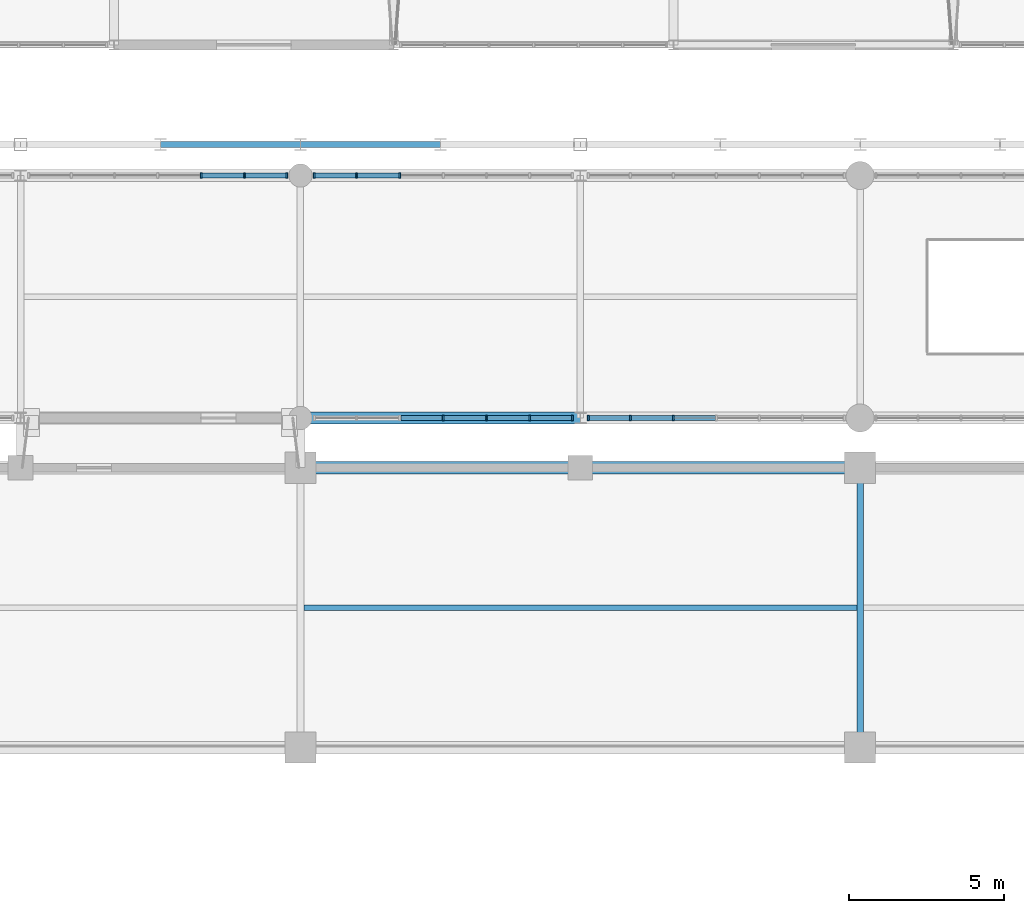
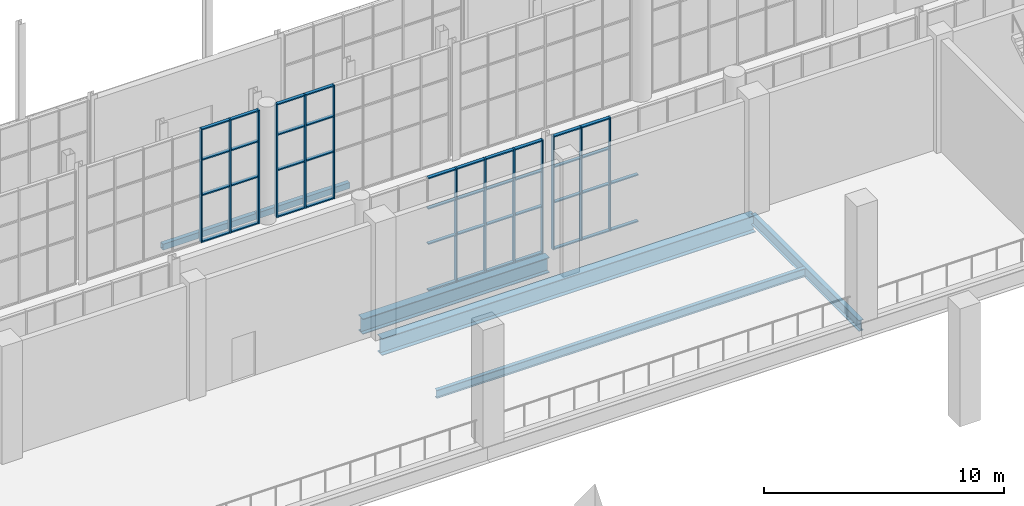
# One storey, part 44 of 159: 55 members, 6 beams, 4 elements without a shape of their own.
"""IFC4 building model written with IfcOpenShell, lengths in metres."""

from ifc_helpers import new_model, si_unit, direction, frame, origin, origin_2d, place, context, subcontext, project, spatial, rectangle, hollow_rectangle, i_section, extrude, material, layer, layer_set, material_profile, profile_set, type_object, element, aggregate, save


model = new_model("IFC4")

# Units and contexts
model_context = context("Model", 3, precision=1e-05, world=origin(), true_north=direction((0.0, 1.0)))
body_context = subcontext(model_context, "Body", "Model", "MODEL_VIEW")
ifc_project = project(units=[si_unit("LENGTHUNIT", "METRE"), si_unit("AREAUNIT", "SQUARE_METRE"), si_unit("VOLUMEUNIT", "CUBIC_METRE"), si_unit("PLANEANGLEUNIT", "RADIAN"), si_unit("MASSUNIT", "GRAM", prefix="KILO")], contexts=[model_context])

# Site, building, storey
site_placement = place(None, origin())
site = spatial("IfcSite", under=ifc_project, at=site_placement, CompositionType="ELEMENT")
building_placement = place(site_placement, origin())
building = spatial("IfcBuilding", under=site, at=building_placement, Name="Cazmaro Siding Exhibition Halls", CompositionType="ELEMENT")
storey_placement = place(building_placement, frame((0.0, 0.0, 6.0)))
storey = spatial("IfcBuildingStorey", under=building, at=storey_placement, Name="L01", CompositionType="ELEMENT", Elevation=6.0)

# Beam
ifc_material_1 = material(Name="Steel ASTM A992 Grade 50", Category="steel")
ifc_material_profile_1 = material_profile(ifc_material_1, i_section(OverallWidth=0.214111328125, OverallDepth=0.549072265625, WebThickness=0.014892578125, FlangeThickness=0.02392578125, at=origin_2d()), Name="W21X93")
ifc_profile_set_1 = profile_set([ifc_material_profile_1], Name="Steel ASTM A992 Grade 50")
beam_type_1 = type_object("IfcBeamType", Name="B-01", PredefinedType="BEAM", material=ifc_profile_set_1)
beam_1_placement = place(storey_placement, frame((126.0, 44.60009765625, -0.52392578125), z_axis=(0.0, 1.0, 0.0), x_axis=(-1.0, 0.0, 0.0)))
element("IfcBeam", 1, at=beam_1_placement, inside=storey, type_object=beam_type_1, Name="Beam B-01 BM-1283", PredefinedType="BEAM", context=body_context, shape_type="SweptSolid", body=[
    extrude(i_section(OverallWidth=0.214111328125, OverallDepth=0.549072265625, WebThickness=0.014892578125, FlangeThickness=0.02392578125, at=origin_2d()), origin(), (0.0, 0.0, 1.0), 9.0),
])

# Curtain wall, members
ifc_material_2 = material(Name="Anodized Bronze Aluminum and Solar-Control Low-E Glazing", Category="aluminium")
ifc_layer = layer(ifc_material_2, 0.179931640625)
ifc_layer_set = layer_set([ifc_layer], Name="Anodized Bronze Aluminum and Solar-Control Low-E Glazing")
curtain_wall_type = type_object("IfcCurtainWallType", Name="CWS-01", PredefinedType="USERDEFINED", material=ifc_layer_set)
curtain_wall_1_placement = place(storey_placement, origin())
curtain_wall_1 = element("IfcCurtainWall", 2, at=curtain_wall_1_placement, inside=storey, type_object=curtain_wall_type, Name="Glazed Curtain Wall CWS-01 CW-177", ObjectType="GLAZED CURTAIN WALL", PredefinedType="USERDEFINED")
ifc_material_3 = material(Name="Anodized Bronze Extruded Aluminum", Category="aluminium")
ifc_material_profile_2 = material_profile(ifc_material_3, rectangle(XDim=0.179931640625, YDim=0.06005859375, at=origin_2d()), Name="CWM-01")
ifc_profile_set_2 = profile_set([ifc_material_profile_2], Name="Anodized Bronze Extruded Aluminum")
member_type_1 = type_object("IfcMemberType", Name="CWM-01", PredefinedType="MULLION", material=ifc_profile_set_2)
member_1_placement = place(storey_placement, frame((107.56201171875, 63.0, 0.0), z_axis=(0.0, 0.0, 1.0), x_axis=(0.0, -1.0, 0.0)))
member_1 = element("IfcMember", 3, at=member_1_placement, type_object=member_type_1, Name="CWS-01 mullion 1", PredefinedType="MULLION", context=body_context, shape_type="SweptSolid", body=[
    extrude(rectangle(XDim=0.179931640625, YDim=0.06005859375, at=origin_2d()), origin(), (0.0, 0.0, 1.0), 5.780029296875),
])
member_2_placement = place(storey_placement, frame((106.1982421875, 63.0, 0.0), z_axis=(0.0, 0.0, 1.0), x_axis=(0.0, -1.0, 0.0)))
member_2 = element("IfcMember", 4, at=member_2_placement, type_object=member_type_1, Name="CWS-01 mullion 2", PredefinedType="MULLION", context=body_context, shape_type="SweptSolid", body=[
    extrude(rectangle(XDim=0.179931640625, YDim=0.06005859375, at=origin_2d()), origin(), (0.0, 0.0, 1.0), 5.780029296875),
])
member_3_placement = place(storey_placement, frame((104.8046875, 63.0, 0.0), z_axis=(0.0, 0.0, 1.0), x_axis=(0.0, -1.0, 0.0)))
member_3 = element("IfcMember", 5, at=member_3_placement, type_object=member_type_1, Name="CWS-01 mullion 3", PredefinedType="MULLION", context=body_context, shape_type="SweptSolid", body=[
    extrude(rectangle(XDim=0.179931640625, YDim=0.06005859375, at=origin_2d()), origin(), (0.0, 0.0, 1.0), 5.780029296875),
])

curtain_wall_2_placement = place(storey_placement, origin())
curtain_wall_2 = element("IfcCurtainWall", 6, at=curtain_wall_2_placement, inside=storey, type_object=curtain_wall_type, Name="Glazed Curtain Wall CWS-01 CW-181", ObjectType="GLAZED CURTAIN WALL", PredefinedType="USERDEFINED")
member_4_placement = place(storey_placement, frame((112.589111328125, 55.199951171875, 0.0), z_axis=(0.0, 0.0, 1.0), x_axis=(0.0, 1.0, 0.0)))
member_4 = element("IfcMember", 7, at=member_4_placement, type_object=member_type_1, Name="CWS-01 mullion 4", PredefinedType="MULLION", context=body_context, shape_type="SweptSolid", body=[
    extrude(rectangle(XDim=0.179931640625, YDim=0.06005859375, at=origin_2d()), origin(), (0.0, 0.0, 1.0), 5.780029296875),
])
member_5_placement = place(storey_placement, frame((113.982666015625, 55.199951171875, 0.0), z_axis=(0.0, 0.0, 1.0), x_axis=(0.0, 1.0, 0.0)))
member_5 = element("IfcMember", 8, at=member_5_placement, type_object=member_type_1, Name="CWS-01 mullion 5", PredefinedType="MULLION", context=body_context, shape_type="SweptSolid", body=[
    extrude(rectangle(XDim=0.179931640625, YDim=0.06005859375, at=origin_2d()), origin(), (0.0, 0.0, 1.0), 5.780029296875),
])
member_6_placement = place(storey_placement, frame((115.376220703125, 55.199951171875, 0.0), z_axis=(0.0, 0.0, 1.0), x_axis=(0.0, 1.0, 0.0)))
member_6 = element("IfcMember", 9, at=member_6_placement, type_object=member_type_1, Name="CWS-01 mullion 6", PredefinedType="MULLION", context=body_context, shape_type="SweptSolid", body=[
    extrude(rectangle(XDim=0.179931640625, YDim=0.06005859375, at=origin_2d()), origin(), (0.0, 0.0, 1.0), 5.780029296875),
])
member_7_placement = place(storey_placement, frame((116.739990234375, 55.199951171875, 0.0), z_axis=(0.0, 0.0, 1.0), x_axis=(0.0, 1.0, 0.0)))
member_7 = element("IfcMember", 10, at=member_7_placement, type_object=member_type_1, Name="CWS-01 mullion 7", PredefinedType="MULLION", context=body_context, shape_type="SweptSolid", body=[
    extrude(rectangle(XDim=0.179931640625, YDim=0.06005859375, at=origin_2d()), origin(), (0.0, 0.0, 1.0), 5.780029296875),
])

curtain_wall_3_placement = place(storey_placement, origin())
curtain_wall_3 = element("IfcCurtainWall", 11, at=curtain_wall_3_placement, inside=storey, type_object=curtain_wall_type, Name="Glazed Curtain Wall CWS-01 CW-183", ObjectType="GLAZED CURTAIN WALL", PredefinedType="USERDEFINED")
member_8_placement = place(storey_placement, frame((111.1953125, 63.0, 0.0), z_axis=(0.0, 0.0, 1.0), x_axis=(0.0, -1.0, 0.0)))
member_8 = element("IfcMember", 12, at=member_8_placement, type_object=member_type_1, Name="CWS-01 mullion 5", PredefinedType="MULLION", context=body_context, shape_type="SweptSolid", body=[
    extrude(rectangle(XDim=0.179931640625, YDim=0.06005859375, at=origin_2d()), origin(), (0.0, 0.0, 1.0), 5.780029296875),
])
member_9_placement = place(storey_placement, frame((109.8017578125, 63.0, 0.0), z_axis=(0.0, 0.0, 1.0), x_axis=(0.0, -1.0, 0.0)))
member_9 = element("IfcMember", 13, at=member_9_placement, type_object=member_type_1, Name="CWS-01 mullion 6", PredefinedType="MULLION", context=body_context, shape_type="SweptSolid", body=[
    extrude(rectangle(XDim=0.179931640625, YDim=0.06005859375, at=origin_2d()), origin(), (0.0, 0.0, 1.0), 5.780029296875),
])
member_10_placement = place(storey_placement, frame((108.43798828125, 63.0, 0.0), z_axis=(0.0, 0.0, 1.0), x_axis=(0.0, -1.0, 0.0)))
member_10 = element("IfcMember", 14, at=member_10_placement, type_object=member_type_1, Name="CWS-01 mullion 7", PredefinedType="MULLION", context=body_context, shape_type="SweptSolid", body=[
    extrude(rectangle(XDim=0.179931640625, YDim=0.06005859375, at=origin_2d()), origin(), (0.0, 0.0, 1.0), 5.780029296875),
])

curtain_wall_4_placement = place(storey_placement, origin())
curtain_wall_4 = element("IfcCurtainWall", 15, at=curtain_wall_4_placement, inside=storey, type_object=curtain_wall_type, Name="Glazed Curtain Wall CWS-01 CW-186", ObjectType="GLAZED CURTAIN WALL", PredefinedType="USERDEFINED")
member_11_placement = place(storey_placement, frame((117.260009765625, 55.199951171875, 0.0), z_axis=(0.0, 0.0, 1.0), x_axis=(0.0, 1.0, 0.0)))
member_11 = element("IfcMember", 16, at=member_11_placement, type_object=member_type_1, Name="CWS-01 mullion 1", PredefinedType="MULLION", context=body_context, shape_type="SweptSolid", body=[
    extrude(rectangle(XDim=0.179931640625, YDim=0.06005859375, at=origin_2d()), origin(), (0.0, 0.0, 1.0), 5.780029296875),
])
member_12_placement = place(storey_placement, frame((118.611083984375, 55.199951171875, 0.0), z_axis=(0.0, 0.0, 1.0), x_axis=(0.0, 1.0, 0.0)))
member_12 = element("IfcMember", 17, at=member_12_placement, type_object=member_type_1, Name="CWS-01 mullion 2", PredefinedType="MULLION", context=body_context, shape_type="SweptSolid", body=[
    extrude(rectangle(XDim=0.179931640625, YDim=0.06005859375, at=origin_2d()), origin(), (0.0, 0.0, 1.0), 5.780029296875),
])
member_13_placement = place(storey_placement, frame((119.992431640625, 55.199951171875, 0.0), z_axis=(0.0, 0.0, 1.0), x_axis=(0.0, 1.0, 0.0)))
member_13 = element("IfcMember", 18, at=member_13_placement, type_object=member_type_1, Name="CWS-01 mullion 3", PredefinedType="MULLION", context=body_context, shape_type="SweptSolid", body=[
    extrude(rectangle(XDim=0.179931640625, YDim=0.06005859375, at=origin_2d()), origin(), (0.0, 0.0, 1.0), 5.780029296875),
])

# Member
ifc_material_4 = material(Name="Anodized Bronze Extruded Aluminum", Category="aluminium")
ifc_material_profile_3 = material_profile(ifc_material_4, rectangle(XDim=0.159912109375, YDim=0.06005859375, at=origin_2d()), Name="CWT-01")
ifc_profile_set_3 = profile_set([ifc_material_profile_3], Name="Anodized Bronze Extruded Aluminum")
member_type_2 = type_object("IfcMemberType", Name="CWT-01", PredefinedType="MULLION", material=ifc_profile_set_3)
member_14_placement = place(storey_placement, frame((107.531982421875, 63.0, 0.030029296875), z_axis=(-1.0, 0.0, 0.0), x_axis=(0.0, -1.0, 0.0)))
member_14 = element("IfcMember", 19, at=member_14_placement, type_object=member_type_2, Name="CWS-01 transom 1.1", ObjectType="TRANSOM", PredefinedType="USERDEFINED", context=body_context, shape_type="SweptSolid", body=[
    extrude(rectangle(XDim=0.159912109375, YDim=0.06005859375, at=origin_2d()), origin(), (0.0, 0.0, 1.0), 1.3037109375),
])

member_15_placement = place(storey_placement, frame((107.531982421875, 63.0, 2.39990234375), z_axis=(-1.0, 0.0, 0.0), x_axis=(0.0, -1.0, 0.0)))
member_15 = element("IfcMember", 20, at=member_15_placement, type_object=member_type_2, Name="CWS-01 transom 1.2", ObjectType="TRANSOM", PredefinedType="USERDEFINED", context=body_context, shape_type="SweptSolid", body=[
    extrude(rectangle(XDim=0.159912109375, YDim=0.06005859375, at=origin_2d()), origin(), (0.0, 0.0, 1.0), 1.3037109375),
])

member_16_placement = place(storey_placement, frame((107.531982421875, 63.0, 4.199951171875), z_axis=(-1.0, 0.0, 0.0), x_axis=(0.0, -1.0, 0.0)))
member_16 = element("IfcMember", 21, at=member_16_placement, type_object=member_type_2, Name="CWS-01 transom 1.3", ObjectType="TRANSOM", PredefinedType="USERDEFINED", context=body_context, shape_type="SweptSolid", body=[
    extrude(rectangle(XDim=0.159912109375, YDim=0.06005859375, at=origin_2d()), origin(), (0.0, 0.0, 1.0), 1.3037109375),
])

member_17_placement = place(storey_placement, frame((107.531982421875, 63.0, 5.75), z_axis=(-1.0, 0.0, 0.0), x_axis=(0.0, -1.0, 0.0)))
member_17 = element("IfcMember", 22, at=member_17_placement, type_object=member_type_2, Name="CWS-01 transom 1.4", ObjectType="TRANSOM", PredefinedType="USERDEFINED", context=body_context, shape_type="SweptSolid", body=[
    extrude(rectangle(XDim=0.159912109375, YDim=0.06005859375, at=origin_2d()), origin(), (0.0, 0.0, 1.0), 1.3037109375),
])

member_18_placement = place(storey_placement, frame((106.168212890625, 63.0, 0.030029296875), z_axis=(-1.0, 0.0, 0.0), x_axis=(0.0, -1.0, 0.0)))
member_18 = element("IfcMember", 23, at=member_18_placement, type_object=member_type_2, Name="CWS-01 transom 2.1", ObjectType="TRANSOM", PredefinedType="USERDEFINED", context=body_context, shape_type="SweptSolid", body=[
    extrude(rectangle(XDim=0.159912109375, YDim=0.06005859375, at=origin_2d()), origin(), (0.0, 0.0, 1.0), 1.33349609375),
])

member_19_placement = place(storey_placement, frame((106.168212890625, 63.0, 2.39990234375), z_axis=(-1.0, 0.0, 0.0), x_axis=(0.0, -1.0, 0.0)))
member_19 = element("IfcMember", 24, at=member_19_placement, type_object=member_type_2, Name="CWS-01 transom 2.2", ObjectType="TRANSOM", PredefinedType="USERDEFINED", context=body_context, shape_type="SweptSolid", body=[
    extrude(rectangle(XDim=0.159912109375, YDim=0.06005859375, at=origin_2d()), origin(), (0.0, 0.0, 1.0), 1.33349609375),
])

member_20_placement = place(storey_placement, frame((106.168212890625, 63.0, 4.199951171875), z_axis=(-1.0, 0.0, 0.0), x_axis=(0.0, -1.0, 0.0)))
member_20 = element("IfcMember", 25, at=member_20_placement, type_object=member_type_2, Name="CWS-01 transom 2.3", ObjectType="TRANSOM", PredefinedType="USERDEFINED", context=body_context, shape_type="SweptSolid", body=[
    extrude(rectangle(XDim=0.159912109375, YDim=0.06005859375, at=origin_2d()), origin(), (0.0, 0.0, 1.0), 1.33349609375),
])

member_21_placement = place(storey_placement, frame((106.168212890625, 63.0, 5.75), z_axis=(-1.0, 0.0, 0.0), x_axis=(0.0, -1.0, 0.0)))
member_21 = element("IfcMember", 26, at=member_21_placement, type_object=member_type_2, Name="CWS-01 transom 2.4", ObjectType="TRANSOM", PredefinedType="USERDEFINED", context=body_context, shape_type="SweptSolid", body=[
    extrude(rectangle(XDim=0.159912109375, YDim=0.06005859375, at=origin_2d()), origin(), (0.0, 0.0, 1.0), 1.33349609375),
])

aggregate(curtain_wall_1, [member_1, member_2, member_3, member_14, member_15, member_16, member_17, member_18, member_19, member_20, member_21])

member_22_placement = place(storey_placement, frame((111.225341796875, 55.199951171875, 0.030029296875), z_axis=(1.0, 0.0, 0.0), x_axis=(0.0, 1.0, 0.0)))
member_22 = element("IfcMember", 27, at=member_22_placement, type_object=member_type_2, Name="CWS-01 transom 3.1", ObjectType="TRANSOM", PredefinedType="USERDEFINED", context=body_context, shape_type="SweptSolid", body=[
    extrude(rectangle(XDim=0.159912109375, YDim=0.06005859375, at=origin_2d()), origin(), (0.0, 0.0, 1.0), 1.333740234375),
])

member_23_placement = place(storey_placement, frame((111.225341796875, 55.199951171875, 2.39990234375), z_axis=(1.0, 0.0, 0.0), x_axis=(0.0, 1.0, 0.0)))
member_23 = element("IfcMember", 28, at=member_23_placement, type_object=member_type_2, Name="CWS-01 transom 3.2", ObjectType="TRANSOM", PredefinedType="USERDEFINED", context=body_context, shape_type="SweptSolid", body=[
    extrude(rectangle(XDim=0.159912109375, YDim=0.06005859375, at=origin_2d()), origin(), (0.0, 0.0, 1.0), 1.333740234375),
])

member_24_placement = place(storey_placement, frame((111.225341796875, 55.199951171875, 4.199951171875), z_axis=(1.0, 0.0, 0.0), x_axis=(0.0, 1.0, 0.0)))
member_24 = element("IfcMember", 29, at=member_24_placement, type_object=member_type_2, Name="CWS-01 transom 3.3", ObjectType="TRANSOM", PredefinedType="USERDEFINED", context=body_context, shape_type="SweptSolid", body=[
    extrude(rectangle(XDim=0.159912109375, YDim=0.06005859375, at=origin_2d()), origin(), (0.0, 0.0, 1.0), 1.333740234375),
])

member_25_placement = place(storey_placement, frame((111.225341796875, 55.199951171875, 5.75), z_axis=(1.0, 0.0, 0.0), x_axis=(0.0, 1.0, 0.0)))
member_25 = element("IfcMember", 30, at=member_25_placement, type_object=member_type_2, Name="CWS-01 transom 3.4", ObjectType="TRANSOM", PredefinedType="USERDEFINED", context=body_context, shape_type="SweptSolid", body=[
    extrude(rectangle(XDim=0.159912109375, YDim=0.06005859375, at=origin_2d()), origin(), (0.0, 0.0, 1.0), 1.333740234375),
])

member_26_placement = place(storey_placement, frame((112.618896484375, 55.199951171875, 0.030029296875), z_axis=(1.0, 0.0, 0.0), x_axis=(0.0, 1.0, 0.0)))
member_26 = element("IfcMember", 31, at=member_26_placement, type_object=member_type_2, Name="CWS-01 transom 4.1", ObjectType="TRANSOM", PredefinedType="USERDEFINED", context=body_context, shape_type="SweptSolid", body=[
    extrude(rectangle(XDim=0.159912109375, YDim=0.06005859375, at=origin_2d()), origin(), (0.0, 0.0, 1.0), 1.333740234375),
])

member_27_placement = place(storey_placement, frame((112.618896484375, 55.199951171875, 2.39990234375), z_axis=(1.0, 0.0, 0.0), x_axis=(0.0, 1.0, 0.0)))
member_27 = element("IfcMember", 32, at=member_27_placement, type_object=member_type_2, Name="CWS-01 transom 4.2", ObjectType="TRANSOM", PredefinedType="USERDEFINED", context=body_context, shape_type="SweptSolid", body=[
    extrude(rectangle(XDim=0.159912109375, YDim=0.06005859375, at=origin_2d()), origin(), (0.0, 0.0, 1.0), 1.333740234375),
])

member_28_placement = place(storey_placement, frame((112.618896484375, 55.199951171875, 4.199951171875), z_axis=(1.0, 0.0, 0.0), x_axis=(0.0, 1.0, 0.0)))
member_28 = element("IfcMember", 33, at=member_28_placement, type_object=member_type_2, Name="CWS-01 transom 4.3", ObjectType="TRANSOM", PredefinedType="USERDEFINED", context=body_context, shape_type="SweptSolid", body=[
    extrude(rectangle(XDim=0.159912109375, YDim=0.06005859375, at=origin_2d()), origin(), (0.0, 0.0, 1.0), 1.333740234375),
])

member_29_placement = place(storey_placement, frame((112.618896484375, 55.199951171875, 5.75), z_axis=(1.0, 0.0, 0.0), x_axis=(0.0, 1.0, 0.0)))
member_29 = element("IfcMember", 34, at=member_29_placement, type_object=member_type_2, Name="CWS-01 transom 4.4", ObjectType="TRANSOM", PredefinedType="USERDEFINED", context=body_context, shape_type="SweptSolid", body=[
    extrude(rectangle(XDim=0.159912109375, YDim=0.06005859375, at=origin_2d()), origin(), (0.0, 0.0, 1.0), 1.333740234375),
])

member_30_placement = place(storey_placement, frame((114.0126953125, 55.199951171875, 0.030029296875), z_axis=(1.0, 0.0, 0.0), x_axis=(0.0, 1.0, 0.0)))
member_30 = element("IfcMember", 35, at=member_30_placement, type_object=member_type_2, Name="CWS-01 transom 5.1", ObjectType="TRANSOM", PredefinedType="USERDEFINED", context=body_context, shape_type="SweptSolid", body=[
    extrude(rectangle(XDim=0.159912109375, YDim=0.06005859375, at=origin_2d()), origin(), (0.0, 0.0, 1.0), 1.333740234375),
])

member_31_placement = place(storey_placement, frame((114.0126953125, 55.199951171875, 2.39990234375), z_axis=(1.0, 0.0, 0.0), x_axis=(0.0, 1.0, 0.0)))
member_31 = element("IfcMember", 36, at=member_31_placement, type_object=member_type_2, Name="CWS-01 transom 5.2", ObjectType="TRANSOM", PredefinedType="USERDEFINED", context=body_context, shape_type="SweptSolid", body=[
    extrude(rectangle(XDim=0.159912109375, YDim=0.06005859375, at=origin_2d()), origin(), (0.0, 0.0, 1.0), 1.333740234375),
])

member_32_placement = place(storey_placement, frame((114.0126953125, 55.199951171875, 4.199951171875), z_axis=(1.0, 0.0, 0.0), x_axis=(0.0, 1.0, 0.0)))
member_32 = element("IfcMember", 37, at=member_32_placement, type_object=member_type_2, Name="CWS-01 transom 5.3", ObjectType="TRANSOM", PredefinedType="USERDEFINED", context=body_context, shape_type="SweptSolid", body=[
    extrude(rectangle(XDim=0.159912109375, YDim=0.06005859375, at=origin_2d()), origin(), (0.0, 0.0, 1.0), 1.333740234375),
])

member_33_placement = place(storey_placement, frame((114.0126953125, 55.199951171875, 5.75), z_axis=(1.0, 0.0, 0.0), x_axis=(0.0, 1.0, 0.0)))
member_33 = element("IfcMember", 38, at=member_33_placement, type_object=member_type_2, Name="CWS-01 transom 5.4", ObjectType="TRANSOM", PredefinedType="USERDEFINED", context=body_context, shape_type="SweptSolid", body=[
    extrude(rectangle(XDim=0.159912109375, YDim=0.06005859375, at=origin_2d()), origin(), (0.0, 0.0, 1.0), 1.333740234375),
])

member_34_placement = place(storey_placement, frame((115.40625, 55.199951171875, 0.030029296875), z_axis=(1.0, 0.0, 0.0), x_axis=(0.0, 1.0, 0.0)))
member_34 = element("IfcMember", 39, at=member_34_placement, type_object=member_type_2, Name="CWS-01 transom 6.1", ObjectType="TRANSOM", PredefinedType="USERDEFINED", context=body_context, shape_type="SweptSolid", body=[
    extrude(rectangle(XDim=0.159912109375, YDim=0.06005859375, at=origin_2d()), origin(), (0.0, 0.0, 1.0), 1.3037109375),
])

member_35_placement = place(storey_placement, frame((115.40625, 55.199951171875, 2.39990234375), z_axis=(1.0, 0.0, 0.0), x_axis=(0.0, 1.0, 0.0)))
member_35 = element("IfcMember", 40, at=member_35_placement, type_object=member_type_2, Name="CWS-01 transom 6.2", ObjectType="TRANSOM", PredefinedType="USERDEFINED", context=body_context, shape_type="SweptSolid", body=[
    extrude(rectangle(XDim=0.159912109375, YDim=0.06005859375, at=origin_2d()), origin(), (0.0, 0.0, 1.0), 1.3037109375),
])

member_36_placement = place(storey_placement, frame((115.40625, 55.199951171875, 4.199951171875), z_axis=(1.0, 0.0, 0.0), x_axis=(0.0, 1.0, 0.0)))
member_36 = element("IfcMember", 41, at=member_36_placement, type_object=member_type_2, Name="CWS-01 transom 6.3", ObjectType="TRANSOM", PredefinedType="USERDEFINED", context=body_context, shape_type="SweptSolid", body=[
    extrude(rectangle(XDim=0.159912109375, YDim=0.06005859375, at=origin_2d()), origin(), (0.0, 0.0, 1.0), 1.3037109375),
])

member_37_placement = place(storey_placement, frame((115.40625, 55.199951171875, 5.75), z_axis=(1.0, 0.0, 0.0), x_axis=(0.0, 1.0, 0.0)))
member_37 = element("IfcMember", 42, at=member_37_placement, type_object=member_type_2, Name="CWS-01 transom 6.4", ObjectType="TRANSOM", PredefinedType="USERDEFINED", context=body_context, shape_type="SweptSolid", body=[
    extrude(rectangle(XDim=0.159912109375, YDim=0.06005859375, at=origin_2d()), origin(), (0.0, 0.0, 1.0), 1.3037109375),
])

aggregate(curtain_wall_2, [member_4, member_5, member_6, member_7, member_22, member_23, member_24, member_25, member_26, member_27, member_28, member_29, member_30, member_31, member_32, member_33, member_34, member_35, member_36, member_37])

member_38_placement = place(storey_placement, frame((111.165283203125, 63.0, 0.030029296875), z_axis=(-1.0, 0.0, 0.0), x_axis=(0.0, -1.0, 0.0)))
member_38 = element("IfcMember", 43, at=member_38_placement, type_object=member_type_2, Name="CWS-01 transom 5.1", ObjectType="TRANSOM", PredefinedType="USERDEFINED", context=body_context, shape_type="SweptSolid", body=[
    extrude(rectangle(XDim=0.159912109375, YDim=0.06005859375, at=origin_2d()), origin(), (0.0, 0.0, 1.0), 1.33349609375),
])

member_39_placement = place(storey_placement, frame((111.165283203125, 63.0, 2.39990234375), z_axis=(-1.0, 0.0, 0.0), x_axis=(0.0, -1.0, 0.0)))
member_39 = element("IfcMember", 44, at=member_39_placement, type_object=member_type_2, Name="CWS-01 transom 5.2", ObjectType="TRANSOM", PredefinedType="USERDEFINED", context=body_context, shape_type="SweptSolid", body=[
    extrude(rectangle(XDim=0.159912109375, YDim=0.06005859375, at=origin_2d()), origin(), (0.0, 0.0, 1.0), 1.33349609375),
])

member_40_placement = place(storey_placement, frame((111.165283203125, 63.0, 4.199951171875), z_axis=(-1.0, 0.0, 0.0), x_axis=(0.0, -1.0, 0.0)))
member_40 = element("IfcMember", 45, at=member_40_placement, type_object=member_type_2, Name="CWS-01 transom 5.3", ObjectType="TRANSOM", PredefinedType="USERDEFINED", context=body_context, shape_type="SweptSolid", body=[
    extrude(rectangle(XDim=0.159912109375, YDim=0.06005859375, at=origin_2d()), origin(), (0.0, 0.0, 1.0), 1.33349609375),
])

member_41_placement = place(storey_placement, frame((111.165283203125, 63.0, 5.75), z_axis=(-1.0, 0.0, 0.0), x_axis=(0.0, -1.0, 0.0)))
member_41 = element("IfcMember", 46, at=member_41_placement, type_object=member_type_2, Name="CWS-01 transom 5.4", ObjectType="TRANSOM", PredefinedType="USERDEFINED", context=body_context, shape_type="SweptSolid", body=[
    extrude(rectangle(XDim=0.159912109375, YDim=0.06005859375, at=origin_2d()), origin(), (0.0, 0.0, 1.0), 1.33349609375),
])

member_42_placement = place(storey_placement, frame((109.771728515625, 63.0, 0.030029296875), z_axis=(-1.0, 0.0, 0.0), x_axis=(0.0, -1.0, 0.0)))
member_42 = element("IfcMember", 47, at=member_42_placement, type_object=member_type_2, Name="CWS-01 transom 6.1", ObjectType="TRANSOM", PredefinedType="USERDEFINED", context=body_context, shape_type="SweptSolid", body=[
    extrude(rectangle(XDim=0.159912109375, YDim=0.06005859375, at=origin_2d()), origin(), (0.0, 0.0, 1.0), 1.3037109375),
])

member_43_placement = place(storey_placement, frame((109.771728515625, 63.0, 2.39990234375), z_axis=(-1.0, 0.0, 0.0), x_axis=(0.0, -1.0, 0.0)))
member_43 = element("IfcMember", 48, at=member_43_placement, type_object=member_type_2, Name="CWS-01 transom 6.2", ObjectType="TRANSOM", PredefinedType="USERDEFINED", context=body_context, shape_type="SweptSolid", body=[
    extrude(rectangle(XDim=0.159912109375, YDim=0.06005859375, at=origin_2d()), origin(), (0.0, 0.0, 1.0), 1.3037109375),
])

member_44_placement = place(storey_placement, frame((109.771728515625, 63.0, 4.199951171875), z_axis=(-1.0, 0.0, 0.0), x_axis=(0.0, -1.0, 0.0)))
member_44 = element("IfcMember", 49, at=member_44_placement, type_object=member_type_2, Name="CWS-01 transom 6.3", ObjectType="TRANSOM", PredefinedType="USERDEFINED", context=body_context, shape_type="SweptSolid", body=[
    extrude(rectangle(XDim=0.159912109375, YDim=0.06005859375, at=origin_2d()), origin(), (0.0, 0.0, 1.0), 1.3037109375),
])

member_45_placement = place(storey_placement, frame((109.771728515625, 63.0, 5.75), z_axis=(-1.0, 0.0, 0.0), x_axis=(0.0, -1.0, 0.0)))
member_45 = element("IfcMember", 50, at=member_45_placement, type_object=member_type_2, Name="CWS-01 transom 6.4", ObjectType="TRANSOM", PredefinedType="USERDEFINED", context=body_context, shape_type="SweptSolid", body=[
    extrude(rectangle(XDim=0.159912109375, YDim=0.06005859375, at=origin_2d()), origin(), (0.0, 0.0, 1.0), 1.3037109375),
])

aggregate(curtain_wall_3, [member_8, member_9, member_10, member_38, member_39, member_40, member_41, member_42, member_43, member_44, member_45])

member_46_placement = place(storey_placement, frame((117.2900390625, 55.199951171875, 0.030029296875), z_axis=(1.0, 0.0, 0.0), x_axis=(0.0, 1.0, 0.0)))
member_46 = element("IfcMember", 51, at=member_46_placement, type_object=member_type_2, Name="CWS-01 transom 1.1", ObjectType="TRANSOM", PredefinedType="USERDEFINED", context=body_context, shape_type="SweptSolid", body=[
    extrude(rectangle(XDim=0.159912109375, YDim=0.06005859375, at=origin_2d()), origin(), (0.0, 0.0, 1.0), 1.291015625),
])

member_47_placement = place(storey_placement, frame((117.2900390625, 55.199951171875, 2.39990234375), z_axis=(1.0, 0.0, 0.0), x_axis=(0.0, 1.0, 0.0)))
member_47 = element("IfcMember", 52, at=member_47_placement, type_object=member_type_2, Name="CWS-01 transom 1.2", ObjectType="TRANSOM", PredefinedType="USERDEFINED", context=body_context, shape_type="SweptSolid", body=[
    extrude(rectangle(XDim=0.159912109375, YDim=0.06005859375, at=origin_2d()), origin(), (0.0, 0.0, 1.0), 1.291015625),
])

member_48_placement = place(storey_placement, frame((117.2900390625, 55.199951171875, 4.199951171875), z_axis=(1.0, 0.0, 0.0), x_axis=(0.0, 1.0, 0.0)))
member_48 = element("IfcMember", 53, at=member_48_placement, type_object=member_type_2, Name="CWS-01 transom 1.3", ObjectType="TRANSOM", PredefinedType="USERDEFINED", context=body_context, shape_type="SweptSolid", body=[
    extrude(rectangle(XDim=0.159912109375, YDim=0.06005859375, at=origin_2d()), origin(), (0.0, 0.0, 1.0), 1.291015625),
])

member_49_placement = place(storey_placement, frame((117.2900390625, 55.199951171875, 5.75), z_axis=(1.0, 0.0, 0.0), x_axis=(0.0, 1.0, 0.0)))
member_49 = element("IfcMember", 54, at=member_49_placement, type_object=member_type_2, Name="CWS-01 transom 1.4", ObjectType="TRANSOM", PredefinedType="USERDEFINED", context=body_context, shape_type="SweptSolid", body=[
    extrude(rectangle(XDim=0.159912109375, YDim=0.06005859375, at=origin_2d()), origin(), (0.0, 0.0, 1.0), 1.291015625),
])

member_50_placement = place(storey_placement, frame((118.64111328125, 55.199951171875, 0.030029296875), z_axis=(1.0, 0.0, 0.0), x_axis=(0.0, 1.0, 0.0)))
member_50 = element("IfcMember", 55, at=member_50_placement, type_object=member_type_2, Name="CWS-01 transom 2.1", ObjectType="TRANSOM", PredefinedType="USERDEFINED", context=body_context, shape_type="SweptSolid", body=[
    extrude(rectangle(XDim=0.159912109375, YDim=0.06005859375, at=origin_2d()), origin(), (0.0, 0.0, 1.0), 1.3212890625),
])

member_51_placement = place(storey_placement, frame((118.64111328125, 55.199951171875, 2.39990234375), z_axis=(1.0, 0.0, 0.0), x_axis=(0.0, 1.0, 0.0)))
member_51 = element("IfcMember", 56, at=member_51_placement, type_object=member_type_2, Name="CWS-01 transom 2.2", ObjectType="TRANSOM", PredefinedType="USERDEFINED", context=body_context, shape_type="SweptSolid", body=[
    extrude(rectangle(XDim=0.159912109375, YDim=0.06005859375, at=origin_2d()), origin(), (0.0, 0.0, 1.0), 1.3212890625),
])

member_52_placement = place(storey_placement, frame((118.64111328125, 55.199951171875, 4.199951171875), z_axis=(1.0, 0.0, 0.0), x_axis=(0.0, 1.0, 0.0)))
member_52 = element("IfcMember", 57, at=member_52_placement, type_object=member_type_2, Name="CWS-01 transom 2.3", ObjectType="TRANSOM", PredefinedType="USERDEFINED", context=body_context, shape_type="SweptSolid", body=[
    extrude(rectangle(XDim=0.159912109375, YDim=0.06005859375, at=origin_2d()), origin(), (0.0, 0.0, 1.0), 1.3212890625),
])

member_53_placement = place(storey_placement, frame((118.64111328125, 55.199951171875, 5.75), z_axis=(1.0, 0.0, 0.0), x_axis=(0.0, 1.0, 0.0)))
member_53 = element("IfcMember", 58, at=member_53_placement, type_object=member_type_2, Name="CWS-01 transom 2.4", ObjectType="TRANSOM", PredefinedType="USERDEFINED", context=body_context, shape_type="SweptSolid", body=[
    extrude(rectangle(XDim=0.159912109375, YDim=0.06005859375, at=origin_2d()), origin(), (0.0, 0.0, 1.0), 1.3212890625),
])

member_54_placement = place(storey_placement, frame((120.022216796875, 55.199951171875, 0.030029296875), z_axis=(1.0, 0.0, 0.0), x_axis=(0.0, 1.0, 0.0)))
member_54 = element("IfcMember", 59, at=member_54_placement, type_object=member_type_2, Name="CWS-01 transom 3.1", ObjectType="TRANSOM", PredefinedType="USERDEFINED", context=body_context, shape_type="SweptSolid", body=[
    extrude(rectangle(XDim=0.159912109375, YDim=0.06005859375, at=origin_2d()), origin(), (0.0, 0.0, 1.0), 1.3212890625),
])

member_55_placement = place(storey_placement, frame((120.022216796875, 55.199951171875, 2.39990234375), z_axis=(1.0, 0.0, 0.0), x_axis=(0.0, 1.0, 0.0)))
member_55 = element("IfcMember", 60, at=member_55_placement, type_object=member_type_2, Name="CWS-01 transom 3.2", ObjectType="TRANSOM", PredefinedType="USERDEFINED", context=body_context, shape_type="SweptSolid", body=[
    extrude(rectangle(XDim=0.159912109375, YDim=0.06005859375, at=origin_2d()), origin(), (0.0, 0.0, 1.0), 1.3212890625),
])

aggregate(curtain_wall_4, [member_11, member_12, member_13, member_46, member_47, member_48, member_49, member_50, member_51, member_52, member_53, member_54, member_55])

# Beams
ifc_material_5 = material(Name="Steel ASTM A992 Grade 50", Category="steel")
ifc_material_profile_4 = material_profile(ifc_material_5, i_section(OverallWidth=0.381103515625, OverallDepth=0.779052734375, WebThickness=0.01806640625, FlangeThickness=0.030029296875, at=origin_2d()), Name="W30X191")
ifc_profile_set_4 = profile_set([ifc_material_profile_4], Name="Steel ASTM A992 Grade 50")
beam_type_2 = type_object("IfcBeamType", Name="G-04", PredefinedType="USERDEFINED", material=ifc_profile_set_4)
beam_2_placement = place(storey_placement, frame((108.0, 55.199951171875, -0.60888671875), z_axis=(1.0, 0.0, 0.0), x_axis=(0.0, 1.0, 0.0)))
element("IfcBeam", 61, at=beam_2_placement, inside=storey, type_object=beam_type_2, Name="Beam G-04 BM-1635", ObjectType="GIRDER", PredefinedType="USERDEFINED", context=body_context, shape_type="SweptSolid", body=[
    extrude(i_section(OverallWidth=0.381103515625, OverallDepth=0.779052734375, WebThickness=0.01806640625, FlangeThickness=0.030029296875, at=origin_2d()), origin(), (0.0, 0.0, 1.0), 9.0),
])
ifc_material_6 = material(Name="Steel ASTM A992 Grade 50", Category="steel")
ifc_material_profile_5 = material_profile(ifc_material_6, i_section(OverallWidth=0.40087890625, OverallDepth=0.85595703125, WebThickness=0.01806640625, FlangeThickness=0.029052734375, at=origin_2d()), Name="W33X201")
ifc_profile_set_5 = profile_set([ifc_material_profile_5], Name="Steel ASTM A992 Grade 50")
beam_type_3 = type_object("IfcBeamType", Name="G-09", PredefinedType="USERDEFINED", material=ifc_profile_set_5)
beam_3_placement = place(storey_placement, frame((108.0, 53.60009765625, -0.677978515625), z_axis=(1.0, 0.0, 0.0), x_axis=(0.0, 1.0, 0.0)))
element("IfcBeam", 62, at=beam_3_placement, inside=storey, type_object=beam_type_3, Name="Beam G-09 BM-1246", ObjectType="GIRDER", PredefinedType="USERDEFINED", context=body_context, shape_type="SweptSolid", body=[
    extrude(i_section(OverallWidth=0.40087890625, OverallDepth=0.85595703125, WebThickness=0.01806640625, FlangeThickness=0.029052734375, at=origin_2d()), origin(), (0.0, 0.0, 1.0), 18.0),
])
ifc_material_7 = material(Name="Steel ASTM A992 Grade 50", Category="steel")
ifc_material_profile_6 = material_profile(ifc_material_7, i_section(OverallWidth=0.180908203125, OverallDepth=0.4169921875, WebThickness=0.010986328125, FlangeThickness=0.01806640625, at=origin_2d()), Name="W16X57")
ifc_profile_set_6 = profile_set([ifc_material_profile_6], Name="Steel ASTM A992 Grade 50")
beam_type_4 = type_object("IfcBeamType", Name="J-03", PredefinedType="JOIST", material=ifc_profile_set_6)
beam_4_placement = place(storey_placement, frame((108.10693359375, 49.10009765625, -0.4580078125), z_axis=(1.0, 0.0, 0.0), x_axis=(0.0, 1.0, 0.0)))
element("IfcBeam", 63, at=beam_4_placement, inside=storey, type_object=beam_type_4, Name="Beam J-03 BM-1247", PredefinedType="JOIST", context=body_context, shape_type="SweptSolid", body=[
    extrude(i_section(OverallWidth=0.180908203125, OverallDepth=0.4169921875, WebThickness=0.010986328125, FlangeThickness=0.01806640625, at=origin_2d()), origin(), (0.0, 0.0, 1.0), 17.7861328125),
])
ifc_material_8 = material(Name="Steel ASTM A500 Grade C", Category="steel")
ifc_material_profile_7 = material_profile(ifc_material_8, hollow_rectangle(XDim=0.202880859375, YDim=0.304931640625, WallThickness=0.011962890625, at=origin_2d()), Name="HSS12X8X1/2")
ifc_profile_set_7 = profile_set([ifc_material_profile_7], Name="Steel ASTM A500 Grade C")
beam_type_5 = type_object("IfcBeamType", Name="SP-01", PredefinedType="SPANDREL", material=ifc_profile_set_7)
for number, where, z_axis, x_axis, name in (
    (64, (103.5, 64.0, -0.3720703125), (1.0, 0.0, 0.0), (0.0, 1.0, 0.0), "Beam SP-01 BM-0139"),
    (65, (108.0, 64.0, -0.3720703125), (1.0, 0.0, 0.0), (0.0, 1.0, 0.0), "Beam SP-01 BM-0145"),
):
    element("IfcBeam", number, at=place(storey_placement, frame(where, z_axis=z_axis, x_axis=x_axis)), inside=storey, type_object=beam_type_5, Name=name, PredefinedType="SPANDREL", context=body_context, shape_type="SweptSolid", body=[
        extrude(hollow_rectangle(XDim=0.202880859375, YDim=0.304931640625, WallThickness=0.011962890625, at=origin_2d()), origin(), (0.0, 0.0, 1.0), 4.5),
    ])

save(model, "model.ifc")
